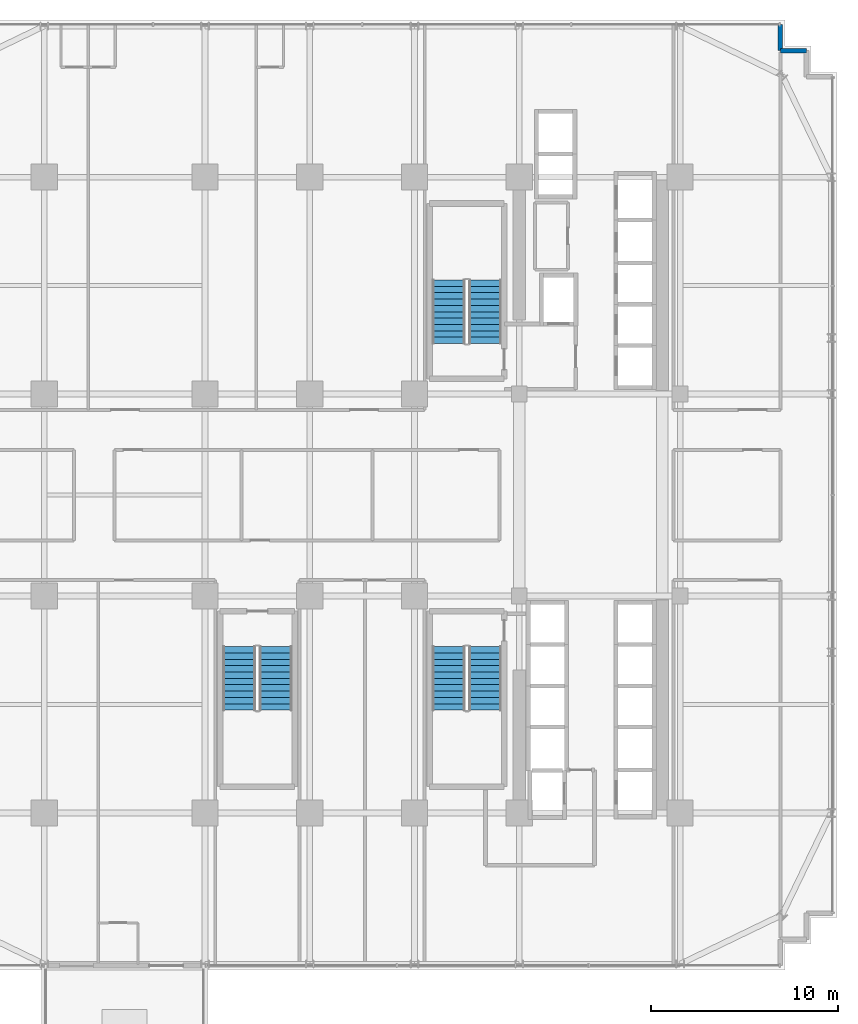
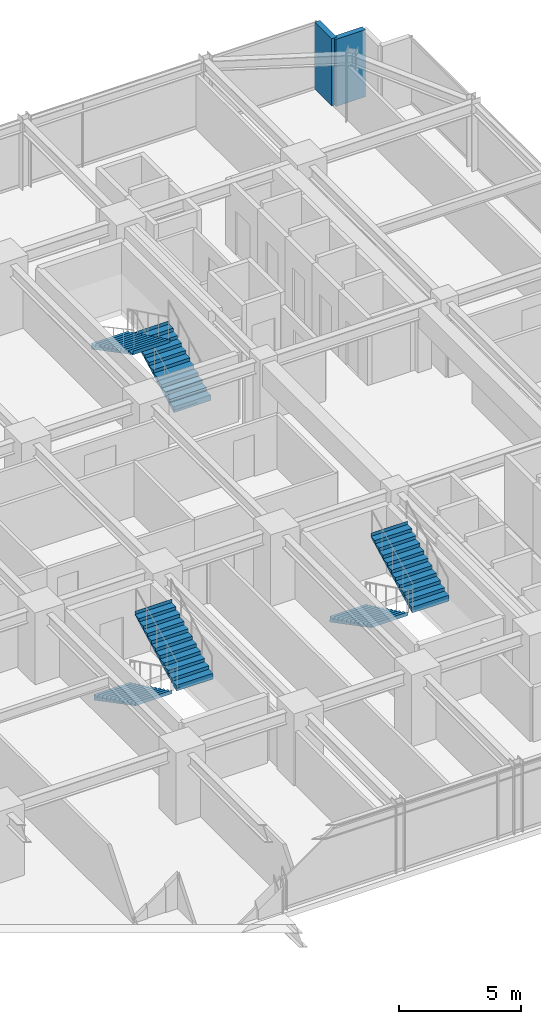
# One storey, part 34 of 37: 6 stair flights, 2 walls, 3 elements without a shape of their own.
"""IFC4 building model written with IfcOpenShell, lengths in metres."""

from ifc_helpers import new_model, si_unit, direction, frame, frame_2d, origin, place, context, subcontext, project, spatial, polyline, rectangle, outline, extrude, source, transform, mapped, material, layer, layer_set, type_object, element, aggregate, save


model = new_model("IFC4")

# Units and contexts
model_context = context("Model", 3, precision=1e-05, world=origin(), true_north=direction((0.0, 1.0)))
body_context = subcontext(model_context, "Body", "Model", "MODEL_VIEW")
ifc_project = project(units=[si_unit("LENGTHUNIT", "METRE"), si_unit("AREAUNIT", "SQUARE_METRE"), si_unit("VOLUMEUNIT", "CUBIC_METRE"), si_unit("PLANEANGLEUNIT", "RADIAN"), si_unit("MASSUNIT", "GRAM", prefix="KILO")], contexts=[model_context])

# Site, building, storey
site_placement = place(None, origin())
site = spatial("IfcSite", under=ifc_project, at=site_placement, CompositionType="ELEMENT")
building_placement = place(site_placement, origin())
building = spatial("IfcBuilding", under=site, at=building_placement, Name="Nahalor Promenade Grand Hotel", CompositionType="ELEMENT")
storey_placement = place(building_placement, frame((0.0, 0.0, 36.050048828125)))
storey = spatial("IfcBuildingStorey", under=building, at=storey_placement, Name="L07", CompositionType="ELEMENT", Elevation=36.050048828125)

# Walls
ifc_material_1 = material(Name="Concrete B-40 (C32/40)", Category="concrete")
ifc_layer_1 = layer(ifc_material_1, 0.25)
ifc_layer_set_1 = layer_set([ifc_layer_1], Name="Concrete B-40 (C32/40)")
wall_type = type_object("IfcWallType", Name="Wall-BronzePier-250", PredefinedType="STANDARD", material=ifc_layer_set_1)
shared_shape_1 = source(origin(), body_context, "Body", "SweptSolid", [
    extrude(rectangle(XDim=1.39990234375, YDim=0.25, at=frame_2d((0.699951171875, 0.0))), origin(), (0.0, 0.0, 1.0), 3.369873046875),
])
for number, where, z_axis, x_axis, name in (
    (1, (22.360107421875, 23.760009765625, 0.0), (0.0, 0.0, 1.0), (1.0, 0.0, 0.0), "W-L07-SR-07"),
    (2, (22.360107421875, 23.760009765625, 0.0), (0.0, 0.0, 1.0), (0.0, 1.0, 0.0), "W-L07-SR-08"),
):
    element("IfcWall", number, at=place(storey_placement, frame(where, z_axis=z_axis, x_axis=x_axis)), inside=storey, type_object=wall_type, Name=name, PredefinedType="STANDARD", context=body_context, shape_type="MappedRepresentation", body=[
        mapped(shared_shape_1, transform((0.0, 0.0, 0.0), scale=1.0)),
    ])

# Stair, stair flights
ifc_material_2 = material(Name="Concrete B-50 (C40/50)", Category="concrete")
stair_type_1 = type_object("IfcStairType", Name="Stair-ST1", PredefinedType="HALF_TURN_STAIR", material=ifc_material_2)
stair_1_placement = place(storey_placement, origin())
stair_1 = element("IfcStair", 3, at=stair_1_placement, inside=storey, type_object=stair_type_1, Name="L07 ST1", PredefinedType="HALF_TURN_STAIR")
ifc_layer_2 = layer(ifc_material_2, 0.179931640625)
ifc_layer_set_2 = layer_set([ifc_layer_2], Name="Concrete B-50 (C40/50)")
stair_flight_type_1 = type_object("IfcStairFlightType", Name="Flight-ST1", PredefinedType="STRAIGHT", material=ifc_layer_set_2)
shared_shape_2 = source(origin(), body_context, "Body", "SweptSolid", [
    extrude(outline(polyline([(-0.00390625, -0.1201171875), (-0.00390625, 0.0), (0.0, 0.0), (0.0, 0.166015625), (0.340087890625, 0.166015625), (0.340087890625, 0.331787109375), (0.679931640625, 0.331787109375), (0.679931640625, 0.497802734375), (1.02001953125, 0.497802734375), (1.02001953125, 0.66357421875), (1.360107421875, 0.66357421875), (1.360107421875, 0.82958984375), (1.699951171875, 0.82958984375), (1.699951171875, 0.995361328125), (2.0400390625, 0.995361328125), (2.0400390625, 1.161376953125), (2.3798828125, 1.161376953125), (2.3798828125, 1.327392578125), (2.719970703125, 1.327392578125), (2.719970703125, 1.4931640625), (3.06005859375, 1.4931640625), (3.06005859375, 1.6591796875), (3.39990234375, 1.6591796875), (3.39990234375, 1.824951171875), (3.404052734375, 1.824951171875), (3.404052734375, 1.64501953125), (0.02001953125, -0.1201171875), (-0.00390625, -0.1201171875)])), frame((0.0, 0.875, 0.0), z_axis=(0.0, -1.0, 0.0), x_axis=(1.0, 0.0, 0.0)), (0.0, 0.0, 1.0), 1.75),
])
stair_flight_1_placement = place(storey_placement, frame((6.574951171875, 8.10009765625, 0.0), z_axis=(0.0, 0.0, 1.0), x_axis=(0.0, 1.0, 0.0)))
stair_flight_1 = element("IfcStairFlight", 4, at=stair_flight_1_placement, type_object=stair_flight_type_1, Name="ST1 flight 1", NumberOfRisers=11, NumberOfTreads=10, PredefinedType="STRAIGHT", RiserHeight=0.165909091, TreadLength=0.34, context=body_context, shape_type="MappedRepresentation", body=[
    mapped(shared_shape_2, transform((0.0, 0.0, 0.0), scale=1.0)),
])
stair_flight_2_placement = place(storey_placement, frame((4.625, 11.5, 1.824951171875), z_axis=(0.0, 0.0, 1.0), x_axis=(0.0, -1.0, 0.0)))
stair_flight_2 = element("IfcStairFlight", 5, at=stair_flight_2_placement, type_object=stair_flight_type_1, Name="ST1 flight 2", NumberOfRisers=11, NumberOfTreads=10, PredefinedType="STRAIGHT", RiserHeight=0.165909091, TreadLength=0.34, context=body_context, shape_type="MappedRepresentation", body=[
    mapped(shared_shape_2, transform((0.0, 0.0, 0.0), scale=1.0)),
])
aggregate(stair_1, [stair_flight_1, stair_flight_2])

stair_type_2 = type_object("IfcStairType", Name="Stair-ST2", PredefinedType="HALF_TURN_STAIR", material=ifc_material_2)
stair_2_placement = place(storey_placement, origin())
stair_2 = element("IfcStair", 6, at=stair_2_placement, inside=storey, type_object=stair_type_2, Name="L07 ST2", PredefinedType="HALF_TURN_STAIR")
ifc_layer_3 = layer(ifc_material_2, 0.18994140625)
ifc_layer_set_3 = layer_set([ifc_layer_3], Name="Concrete B-50 (C40/50)")
stair_flight_type_2 = type_object("IfcStairFlightType", Name="Flight-ST2", PredefinedType="STRAIGHT", material=ifc_layer_set_3)
shared_shape_3 = source(origin(), body_context, "Body", "SweptSolid", [
    extrude(outline(polyline([(-0.00390625, -0.1201171875), (-0.00390625, 0.0), (0.0, 0.0), (0.0, 0.166015625), (0.340087890625, 0.166015625), (0.340087890625, 0.331787109375), (0.679931640625, 0.331787109375), (0.679931640625, 0.497802734375), (1.02001953125, 0.497802734375), (1.02001953125, 0.66357421875), (1.360107421875, 0.66357421875), (1.360107421875, 0.82958984375), (1.699951171875, 0.82958984375), (1.699951171875, 0.995361328125), (2.0400390625, 0.995361328125), (2.0400390625, 1.161376953125), (2.3798828125, 1.161376953125), (2.3798828125, 1.327392578125), (2.719970703125, 1.327392578125), (2.719970703125, 1.4931640625), (3.06005859375, 1.4931640625), (3.06005859375, 1.6591796875), (3.39990234375, 1.6591796875), (3.39990234375, 1.824951171875), (3.404052734375, 1.824951171875), (3.404052734375, 1.64501953125), (0.02001953125, -0.1201171875), (-0.00390625, -0.1201171875)])), frame((0.0, 0.875, 0.0), z_axis=(0.0, -1.0, 0.0), x_axis=(1.0, 0.0, 0.0)), (0.0, 0.0, 1.0), 1.75),
])
stair_flight_3_placement = place(storey_placement, frame((4.625, -8.10009765625, 0.0), z_axis=(0.0, 0.0, 1.0), x_axis=(0.0, -1.0, 0.0)))
stair_flight_3 = element("IfcStairFlight", 7, at=stair_flight_3_placement, type_object=stair_flight_type_2, Name="ST2 flight 1", NumberOfRisers=11, NumberOfTreads=10, PredefinedType="STRAIGHT", RiserHeight=0.165909091, TreadLength=0.34, context=body_context, shape_type="MappedRepresentation", body=[
    mapped(shared_shape_3, transform((0.0, 0.0, 0.0), scale=1.0)),
])
stair_flight_4_placement = place(storey_placement, frame((6.574951171875, -11.5, 1.824951171875), z_axis=(0.0, 0.0, 1.0), x_axis=(0.0, 1.0, 0.0)))
stair_flight_4 = element("IfcStairFlight", 8, at=stair_flight_4_placement, type_object=stair_flight_type_2, Name="ST2 flight 2", NumberOfRisers=11, NumberOfTreads=10, PredefinedType="STRAIGHT", RiserHeight=0.165909091, TreadLength=0.34, context=body_context, shape_type="MappedRepresentation", body=[
    mapped(shared_shape_3, transform((0.0, 0.0, 0.0), scale=1.0)),
])
aggregate(stair_2, [stair_flight_3, stair_flight_4])

stair_type_3 = type_object("IfcStairType", Name="Stair-ST3", PredefinedType="HALF_TURN_STAIR", material=ifc_material_2)
stair_3_placement = place(storey_placement, origin())
stair_3 = element("IfcStair", 9, at=stair_3_placement, inside=storey, type_object=stair_type_3, Name="L07 ST3", PredefinedType="HALF_TURN_STAIR")
ifc_layer_4 = layer(ifc_material_2, 0.199951171875)
ifc_layer_set_4 = layer_set([ifc_layer_4], Name="Concrete B-50 (C40/50)")
stair_flight_type_3 = type_object("IfcStairFlightType", Name="Flight-ST3", PredefinedType="STRAIGHT", material=ifc_layer_set_4)
shared_shape_4 = source(origin(), body_context, "Body", "SweptSolid", [
    extrude(outline(polyline([(-0.00390625, -0.1201171875), (-0.00390625, 0.0), (0.0, 0.0), (0.0, 0.166015625), (0.340087890625, 0.166015625), (0.340087890625, 0.331787109375), (0.679931640625, 0.331787109375), (0.679931640625, 0.497802734375), (1.02001953125, 0.497802734375), (1.02001953125, 0.66357421875), (1.360107421875, 0.66357421875), (1.360107421875, 0.82958984375), (1.699951171875, 0.82958984375), (1.699951171875, 0.995361328125), (2.0400390625, 0.995361328125), (2.0400390625, 1.161376953125), (2.3798828125, 1.161376953125), (2.3798828125, 1.327392578125), (2.719970703125, 1.327392578125), (2.719970703125, 1.4931640625), (3.06005859375, 1.4931640625), (3.06005859375, 1.6591796875), (3.39990234375, 1.6591796875), (3.39990234375, 1.824951171875), (3.404052734375, 1.824951171875), (3.404052734375, 1.64501953125), (0.02001953125, -0.1201171875), (-0.00390625, -0.1201171875)])), frame((0.0, 0.875, 0.0), z_axis=(0.0, -1.0, 0.0), x_axis=(1.0, 0.0, 0.0)), (0.0, 0.0, 1.0), 1.75),
])
stair_flight_5_placement = place(storey_placement, frame((-6.574951171875, -8.10009765625, 0.0), z_axis=(0.0, 0.0, 1.0), x_axis=(0.0, -1.0, 0.0)))
stair_flight_5 = element("IfcStairFlight", 10, at=stair_flight_5_placement, type_object=stair_flight_type_3, Name="ST3 flight 1", NumberOfRisers=11, NumberOfTreads=10, PredefinedType="STRAIGHT", RiserHeight=0.165909091, TreadLength=0.34, context=body_context, shape_type="MappedRepresentation", body=[
    mapped(shared_shape_4, transform((0.0, 0.0, 0.0), scale=1.0)),
])
stair_flight_6_placement = place(storey_placement, frame((-4.625, -11.5, 1.824951171875), z_axis=(0.0, 0.0, 1.0), x_axis=(0.0, 1.0, 0.0)))
stair_flight_6 = element("IfcStairFlight", 11, at=stair_flight_6_placement, type_object=stair_flight_type_3, Name="ST3 flight 2", NumberOfRisers=11, NumberOfTreads=10, PredefinedType="STRAIGHT", RiserHeight=0.165909091, TreadLength=0.34, context=body_context, shape_type="MappedRepresentation", body=[
    mapped(shared_shape_4, transform((0.0, 0.0, 0.0), scale=1.0)),
])
aggregate(stair_3, [stair_flight_5, stair_flight_6])

save(model, "model.ifc")
